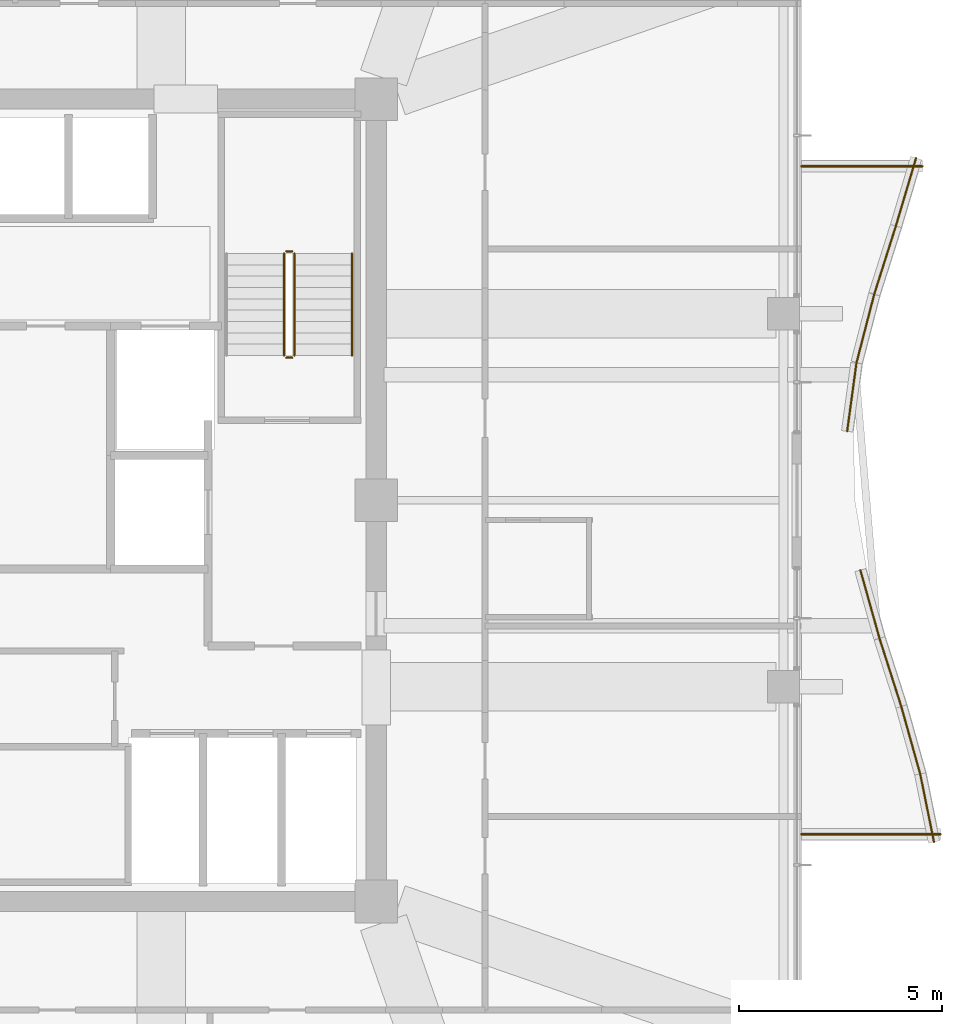
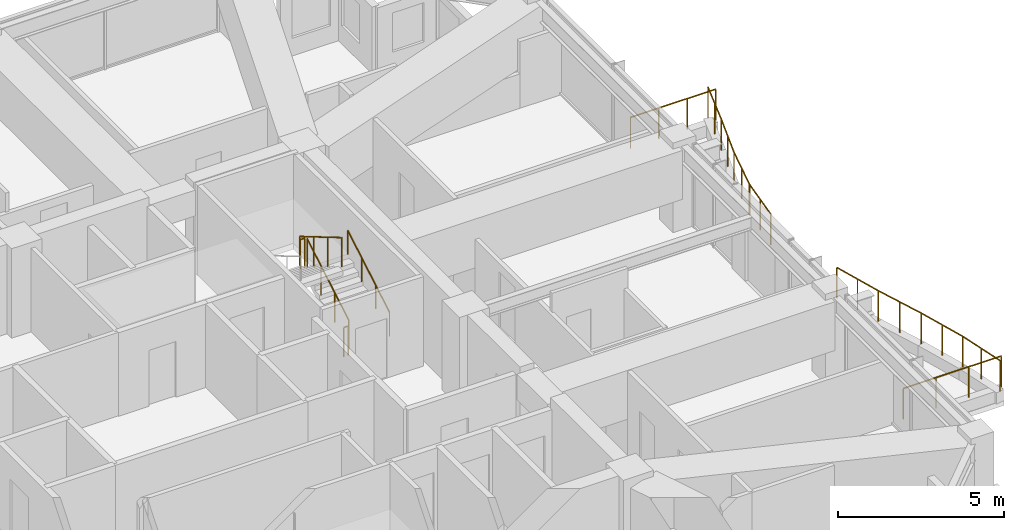
# One storey, part 35 of 35: 15 railings.
"""IFC4 building model written with IfcOpenShell, lengths in metres."""

from ifc_helpers import new_model, si_unit, direction, frame, origin, origin_2d, place, context, subcontext, project, spatial, circle, extrude, material, type_object, element, save


model = new_model("IFC4")

# Units and contexts
model_context = context("Model", 3, precision=1e-05, world=origin(), true_north=direction((0.0, 1.0)))
body_context = subcontext(model_context, "Body", "Model", "MODEL_VIEW")
ifc_project = project(units=[si_unit("LENGTHUNIT", "METRE"), si_unit("AREAUNIT", "SQUARE_METRE"), si_unit("VOLUMEUNIT", "CUBIC_METRE"), si_unit("PLANEANGLEUNIT", "RADIAN"), si_unit("MASSUNIT", "GRAM", prefix="KILO")], contexts=[model_context])

# Site, building, storey
site_placement = place(None, origin())
site = spatial("IfcSite", under=ifc_project, at=site_placement, CompositionType="ELEMENT")
building_placement = place(site_placement, origin())
building = spatial("IfcBuilding", under=site, at=building_placement, Name="Kolvaren Belvedere", CompositionType="ELEMENT")
storey_placement = place(building_placement, frame((0.0, 0.0, 203.10009765625)))
storey = spatial("IfcBuildingStorey", under=building, at=storey_placement, Name="L59", CompositionType="ELEMENT", Elevation=203.10009765625)

# Railings
ifc_material_1 = material(Name="Anodised pale-metal aluminium & laminated glass guard", Category="aluminium")
railing_type_1 = type_object("IfcRailingType", Name="RL-GUARD-1150", PredefinedType="GUARDRAIL", material=ifc_material_1)
railing_1_placement = place(storey_placement, frame((23.6630859375, -8.431884765625, 0.3798828125)))
element("IfcRailing", 1, at=railing_1_placement, inside=storey, type_object=railing_type_1, Name="L59 Exterior Deck Safety Guard BAL-E-1", PredefinedType="GUARDRAIL", context=body_context, shape_type="SweptSolid", body=[
    extrude(circle(Radius=0.02392578125, at=origin_2d()), frame((0.0, 0.0, 1.1259765625), z_axis=(-0.198662427795, 0.980067977123, 0.0), x_axis=(-0.980067977123, -0.198662427795, 0.0)), (0.0, 0.0, 1.0), 1.71435546875),
    extrude(circle(Radius=0.02099609375, at=origin_2d()), origin(), (0.0, 0.0, 1.0), 1.101806640625),
    extrude(circle(Radius=0.02099609375, at=origin_2d()), frame((-0.17041015625, 0.840087890625, 0.0)), (0.0, 0.0, 1.0), 1.101806640625),
    extrude(circle(Radius=0.02099609375, at=origin_2d()), frame((-0.340576171875, 1.68017578125, 0.0)), (0.0, 0.0, 1.0), 1.101806640625),
])
railing_2_placement = place(storey_placement, frame((23.3251953125, -6.76318359375, 0.3798828125)))
element("IfcRailing", 2, at=railing_2_placement, inside=storey, type_object=railing_type_1, Name="L59 Exterior Deck Safety Guard BAL-E-2", PredefinedType="GUARDRAIL", context=body_context, shape_type="SweptSolid", body=[
    extrude(circle(Radius=0.02392578125, at=origin_2d()), frame((0.0, 0.0, 1.1259765625), z_axis=(-0.269801210823, 0.962916043401, 0.0), x_axis=(-0.962916043401, -0.269801210823, 0.0)), (0.0, 0.0, 1.0), 1.74462890625),
    extrude(circle(Radius=0.02099609375, at=origin_2d()), origin(), (0.0, 0.0, 1.0), 1.101806640625),
    extrude(circle(Radius=0.02099609375, at=origin_2d()), frame((-0.2353515625, 0.83984375, 0.0)), (0.0, 0.0, 1.0), 1.101806640625),
    extrude(circle(Radius=0.02099609375, at=origin_2d()), frame((-0.470703125, 1.679931640625, 0.0)), (0.0, 0.0, 1.0), 1.101806640625),
])
railing_3_placement = place(storey_placement, frame((22.856201171875, -5.088623046875, 0.3798828125)))
element("IfcRailing", 3, at=railing_3_placement, inside=storey, type_object=railing_type_1, Name="L59 Exterior Deck Safety Guard BAL-E-3", PredefinedType="GUARDRAIL", context=body_context, shape_type="SweptSolid", body=[
    extrude(circle(Radius=0.02392578125, at=origin_2d()), frame((0.0, 0.0, 1.1259765625), z_axis=(-0.304534629099, 0.952501264923, 0.0), x_axis=(-0.952501264923, -0.304534629099, 0.0)), (0.0, 0.0, 1.0), 1.763671875),
    extrude(circle(Radius=0.02099609375, at=origin_2d()), origin(), (0.0, 0.0, 1.0), 1.101806640625),
    extrude(circle(Radius=0.02099609375, at=origin_2d()), frame((-0.2685546875, 0.83984375, 0.0)), (0.0, 0.0, 1.0), 1.101806640625),
    extrude(circle(Radius=0.02099609375, at=origin_2d()), frame((-0.537109375, 1.679931640625, 0.0)), (0.0, 0.0, 1.0), 1.101806640625),
])
railing_4_placement = place(storey_placement, frame((22.3173828125, -3.4033203125, 0.3798828125)))
element("IfcRailing", 4, at=railing_4_placement, inside=storey, type_object=railing_type_1, Name="L59 Exterior Deck Safety Guard BAL-E-4", PredefinedType="GUARDRAIL", context=body_context, shape_type="SweptSolid", body=[
    extrude(circle(Radius=0.02392578125, at=origin_2d()), frame((0.0, 0.0, 1.1259765625), z_axis=(-0.269764860108, 0.962926227834, 0.0), x_axis=(-0.962926227834, -0.269764860108, 0.0)), (0.0, 0.0, 1.0), 1.744873046875),
    extrude(circle(Radius=0.02099609375, at=origin_2d()), origin(), (0.0, 0.0, 1.0), 1.101806640625),
    extrude(circle(Radius=0.02099609375, at=origin_2d()), frame((-0.2353515625, 0.840087890625, 0.0)), (0.0, 0.0, 1.0), 1.101806640625),
    extrude(circle(Radius=0.02099609375, at=origin_2d()), frame((-0.470703125, 1.68017578125, 0.0)), (0.0, 0.0, 1.0), 1.101806640625),
])
railing_5_placement = place(storey_placement, frame((21.5205078125, 1.70166015625, 0.3798828125)))
element("IfcRailing", 5, at=railing_5_placement, inside=storey, type_object=railing_type_1, Name="L59 Exterior Deck Safety Guard BAL-E-7", PredefinedType="GUARDRAIL", context=body_context, shape_type="SweptSolid", body=[
    extrude(circle(Radius=0.02392578125, at=origin_2d()), frame((0.0, 0.0, 1.1259765625), z_axis=(0.134926850989, 0.990855562068, 0.0), x_axis=(-0.990855562068, 0.134926850989, 0.0)), (0.0, 0.0, 1.0), 1.695556640625),
    extrude(circle(Radius=0.02099609375, at=origin_2d()), origin(), (0.0, 0.0, 1.0), 1.101806640625),
    extrude(circle(Radius=0.02099609375, at=origin_2d()), frame((0.1142578125, 0.83984375, 0.0)), (0.0, 0.0, 1.0), 1.101806640625),
    extrude(circle(Radius=0.02099609375, at=origin_2d()), frame((0.228759765625, 1.679931640625, 0.0)), (0.0, 0.0, 1.0), 1.101806640625),
])
railing_6_placement = place(storey_placement, frame((21.7529296875, 3.400146484375, 0.3798828125)))
element("IfcRailing", 6, at=railing_6_placement, inside=storey, type_object=railing_type_1, Name="L59 Exterior Deck Safety Guard BAL-E-8", PredefinedType="GUARDRAIL", context=body_context, shape_type="SweptSolid", body=[
    extrude(circle(Radius=0.02392578125, at=origin_2d()), frame((0.0, 0.0, 1.1259765625), z_axis=(0.250439664624, 0.968132209145, 0.0), x_axis=(-0.968132209145, 0.250439664624, 0.0)), (0.0, 0.0, 1.0), 1.7353515625),
    extrude(circle(Radius=0.02099609375, at=origin_2d()), origin(), (0.0, 0.0, 1.0), 1.101806640625),
    extrude(circle(Radius=0.02099609375, at=origin_2d()), frame((0.21728515625, 0.83984375, 0.0)), (0.0, 0.0, 1.0), 1.101806640625),
    extrude(circle(Radius=0.02099609375, at=origin_2d()), frame((0.4345703125, 1.679931640625, 0.0)), (0.0, 0.0, 1.0), 1.101806640625),
])
railing_7_placement = place(storey_placement, frame((22.18994140625, 5.08837890625, 0.3798828125)))
element("IfcRailing", 7, at=railing_7_placement, inside=storey, type_object=railing_type_1, Name="L59 Exterior Deck Safety Guard BAL-E-9", PredefinedType="GUARDRAIL", context=body_context, shape_type="SweptSolid", body=[
    extrude(circle(Radius=0.02392578125, at=origin_2d()), frame((0.0, 0.0, 1.1259765625), z_axis=(0.302397356111, 0.953181954832, 0.0), x_axis=(-0.953181954832, 0.302397356111, 0.0)), (0.0, 0.0, 1.0), 1.762451171875),
    extrude(circle(Radius=0.02099609375, at=origin_2d()), origin(), (0.0, 0.0, 1.0), 1.101806640625),
    extrude(circle(Radius=0.02099609375, at=origin_2d()), frame((0.2666015625, 0.83984375, 0.0)), (0.0, 0.0, 1.0), 1.101806640625),
    extrude(circle(Radius=0.02099609375, at=origin_2d()), frame((0.532958984375, 1.679931640625, 0.0)), (0.0, 0.0, 1.0), 1.101806640625),
])
railing_8_placement = place(storey_placement, frame((22.721923828125, 6.765625, 0.3798828125)))
element("IfcRailing", 8, at=railing_8_placement, inside=storey, type_object=railing_type_1, Name="L59 Exterior Deck Safety Guard BAL-E-10", PredefinedType="GUARDRAIL", context=body_context, shape_type="SweptSolid", body=[
    extrude(circle(Radius=0.02392578125, at=origin_2d()), frame((0.0, 0.0, 1.1259765625), z_axis=(0.28500831833, 0.958525043221, 0.0), x_axis=(-0.958525043221, 0.28500831833, 0.0)), (0.0, 0.0, 1.0), 1.752685546875),
    extrude(circle(Radius=0.02099609375, at=origin_2d()), origin(), (0.0, 0.0, 1.0), 1.101806640625),
    extrude(circle(Radius=0.02099609375, at=origin_2d()), frame((0.249755859375, 0.83984375, 0.0)), (0.0, 0.0, 1.0), 1.101806640625),
    extrude(circle(Radius=0.02099609375, at=origin_2d()), frame((0.49951171875, 1.679931640625, 0.0)), (0.0, 0.0, 1.0), 1.101806640625),
])
railing_9_placement = place(storey_placement, frame((23.374755859375, 8.239990234375, 0.3798828125)))
element("IfcRailing", 9, at=railing_9_placement, inside=storey, type_object=railing_type_1, Name="L59 Exterior Deck Safety Guard BAL-E-11", PredefinedType="GUARDRAIL", context=body_context, shape_type="SweptSolid", body=[
    extrude(circle(Radius=0.02392578125, at=origin_2d()), frame((0.0, 0.0, 1.1259765625), z_axis=(-1.0, 0.0, 0.0), x_axis=(0.0, -1.0, 0.0)), (0.0, 0.0, 1.0), 2.974853515625),
    extrude(circle(Radius=0.02099609375, at=origin_2d()), origin(), (0.0, 0.0, 1.0), 1.101806640625),
    extrude(circle(Radius=0.02099609375, at=origin_2d()), frame((-0.99169921875, 0.0, 0.0)), (0.0, 0.0, 1.0), 1.101806640625),
    extrude(circle(Radius=0.02099609375, at=origin_2d()), frame((-1.983154296875, 0.0, 0.0)), (0.0, 0.0, 1.0), 1.101806640625),
    extrude(circle(Radius=0.02099609375, at=origin_2d()), frame((-2.974853515625, 0.0, 0.0)), (0.0, 0.0, 1.0), 1.101806640625),
])
railing_10_placement = place(storey_placement, frame((20.39990234375, -8.239990234375, 0.3798828125)))
element("IfcRailing", 10, at=railing_10_placement, inside=storey, type_object=railing_type_1, Name="L59 Exterior Deck Safety Guard BAL-E-22", PredefinedType="GUARDRAIL", context=body_context, shape_type="SweptSolid", body=[
    extrude(circle(Radius=0.02392578125, at=origin_2d()), frame((0.0, 0.0, 1.1259765625), z_axis=(1.0, 0.0, 0.0), x_axis=(0.0, 1.0, 0.0)), (0.0, 0.0, 1.0), 3.420166015625),
    extrude(circle(Radius=0.02099609375, at=origin_2d()), origin(), (0.0, 0.0, 1.0), 1.101806640625),
    extrude(circle(Radius=0.02099609375, at=origin_2d()), frame((1.14013671875, 0.0, 0.0)), (0.0, 0.0, 1.0), 1.101806640625),
    extrude(circle(Radius=0.02099609375, at=origin_2d()), frame((2.280029296875, 0.0, 0.0)), (0.0, 0.0, 1.0), 1.101806640625),
    extrude(circle(Radius=0.02099609375, at=origin_2d()), frame((3.420166015625, 0.0, 0.0)), (0.0, 0.0, 1.0), 1.101806640625),
])
ifc_material_2 = material(Name="Brushed stainless-steel handrail", Category="steel")
railing_type_2 = type_object("IfcRailingType", Name="RL-HANDRAIL-920", PredefinedType="HANDRAIL", material=ifc_material_2)
railing_11_placement = place(storey_placement, frame((9.300048828125, 3.570068359375, 0.164794921875)))
element("IfcRailing", 11, at=railing_11_placement, inside=storey, type_object=railing_type_2, Name="L59 ST-2 stair handrail 1", PredefinedType="HANDRAIL", context=body_context, shape_type="SweptSolid", body=[
    extrude(circle(Radius=0.02392578125, at=origin_2d()), frame((0.0, 0.0, 0.8759765625), z_axis=(0.0, 0.86152411907, 0.507716645641), x_axis=(-1.0, 0.0, 0.0)), (0.0, 0.0, 1.0), 2.925048828125),
    extrude(circle(Radius=0.02099609375, at=origin_2d()), origin(), (0.0, 0.0, 1.0), 0.851806640625),
    extrude(circle(Radius=0.02099609375, at=origin_2d()), frame((0.0, 0.840087890625, 0.4951171875)), (0.0, 0.0, 1.0), 0.851806640625),
    extrude(circle(Radius=0.02099609375, at=origin_2d()), frame((0.0, 1.679931640625, 0.989990234375)), (0.0, 0.0, 1.0), 0.851806640625),
    extrude(circle(Radius=0.02099609375, at=origin_2d()), frame((0.0, 2.52001953125, 1.485107421875)), (0.0, 0.0, 1.0), 0.851806640625),
])
ifc_material_3 = material(Name="Painted tubular steel stair guard", Category="steel")
railing_type_3 = type_object("IfcRailingType", Name="RL-STGUARD-1100", PredefinedType="GUARDRAIL", material=ifc_material_3)
railing_12_placement = place(storey_placement, frame((7.8798828125, 3.570068359375, 0.164794921875)))
element("IfcRailing", 12, at=railing_12_placement, inside=storey, type_object=railing_type_3, Name="L59 ST-2 stair guard 1", PredefinedType="GUARDRAIL", context=body_context, shape_type="SweptSolid", body=[
    extrude(circle(Radius=0.02392578125, at=origin_2d()), frame((0.0, 0.0, 1.076171875), z_axis=(0.0, 0.86152411907, 0.507716645641), x_axis=(-1.0, 0.0, 0.0)), (0.0, 0.0, 1.0), 2.925048828125),
    extrude(circle(Radius=0.02099609375, at=origin_2d()), origin(), (0.0, 0.0, 1.0), 1.052001953125),
    extrude(circle(Radius=0.02099609375, at=origin_2d()), frame((0.0, 0.840087890625, 0.4951171875)), (0.0, 0.0, 1.0), 1.052001953125),
    extrude(circle(Radius=0.02099609375, at=origin_2d()), frame((0.0, 1.679931640625, 0.989990234375)), (0.0, 0.0, 1.0), 1.052001953125),
    extrude(circle(Radius=0.02099609375, at=origin_2d()), frame((0.0, 2.52001953125, 1.485107421875)), (0.0, 0.0, 1.0), 1.052001953125),
])
railing_13_placement = place(storey_placement, frame((7.830078125, 6.139892578125, 1.64990234375)))
element("IfcRailing", 13, at=railing_13_placement, inside=storey, type_object=railing_type_3, Name="L59 ST-2 stair guard 2", PredefinedType="GUARDRAIL", context=body_context, shape_type="SweptSolid", body=[
    extrude(circle(Radius=0.02392578125, at=origin_2d()), frame((0.0, 0.0, 1.076171875), z_axis=(-1.0, 0.0, 0.0), x_axis=(0.0, -1.0, 0.0)), (0.0, 0.0, 1.0), 0.150146484375),
    extrude(circle(Radius=0.02099609375, at=origin_2d()), origin(), (0.0, 0.0, 1.0), 1.052001953125),
    extrude(circle(Radius=0.02099609375, at=origin_2d()), frame((-0.150146484375, 0.0, 0.0)), (0.0, 0.0, 1.0), 1.052001953125),
])
railing_14_placement = place(storey_placement, frame((7.6298828125, 6.090087890625, 1.81494140625)))
element("IfcRailing", 14, at=railing_14_placement, inside=storey, type_object=railing_type_3, Name="L59 ST-2 stair guard 3", PredefinedType="GUARDRAIL", context=body_context, shape_type="SweptSolid", body=[
    extrude(circle(Radius=0.02392578125, at=origin_2d()), frame((0.0, 0.0, 1.076171875), z_axis=(0.0, -0.861560626758, 0.507654692109), x_axis=(1.0, 0.0, 0.0)), (0.0, 0.0, 1.0), 2.925048828125),
    extrude(circle(Radius=0.02099609375, at=origin_2d()), origin(), (0.0, 0.0, 1.0), 1.052001953125),
    extrude(circle(Radius=0.02099609375, at=origin_2d()), frame((0.0, -0.840087890625, 0.494873046875)), (0.0, 0.0, 1.0), 1.052001953125),
    extrude(circle(Radius=0.02099609375, at=origin_2d()), frame((0.0, -1.679931640625, 0.989990234375)), (0.0, 0.0, 1.0), 1.052001953125),
    extrude(circle(Radius=0.02099609375, at=origin_2d()), frame((0.0, -2.52001953125, 1.48486328125)), (0.0, 0.0, 1.0), 1.052001953125),
])
railing_15_placement = place(storey_placement, frame((7.830078125, 3.52001953125, 0.0)))
element("IfcRailing", 15, at=railing_15_placement, inside=storey, type_object=railing_type_3, Name="L59 ST-2 stair guard 4", PredefinedType="GUARDRAIL", context=body_context, shape_type="SweptSolid", body=[
    extrude(circle(Radius=0.02392578125, at=origin_2d()), frame((0.0, 0.0, 1.076171875), z_axis=(-1.0, 0.0, 0.0), x_axis=(0.0, -1.0, 0.0)), (0.0, 0.0, 1.0), 0.150146484375),
    extrude(circle(Radius=0.02099609375, at=origin_2d()), origin(), (0.0, 0.0, 1.0), 1.052001953125),
    extrude(circle(Radius=0.02099609375, at=origin_2d()), frame((-0.150146484375, 0.0, 0.0)), (0.0, 0.0, 1.0), 1.052001953125),
])

save(model, "model.ifc")
